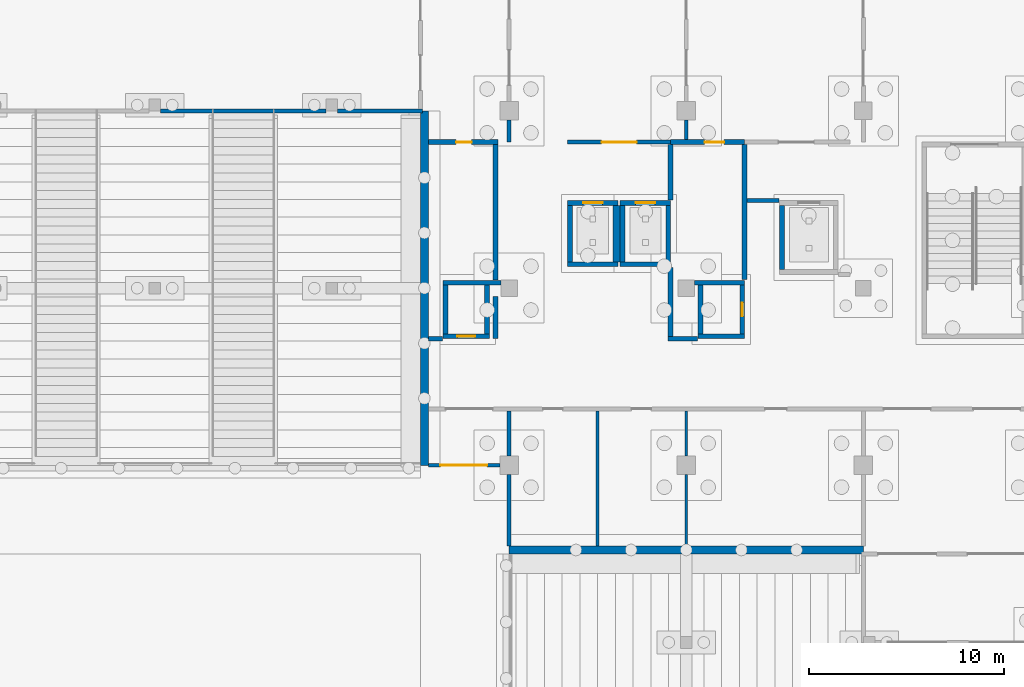
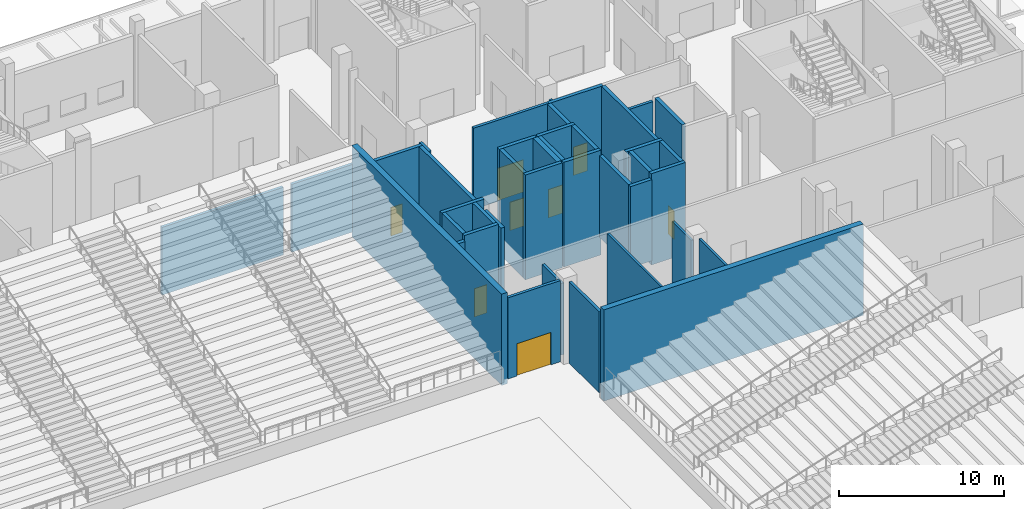
# One storey, part 80 of 129: 40 walls, 8 doors, 8 openings.
"""IFC4 building model written with IfcOpenShell, lengths in metres."""

from ifc_helpers import new_model, si_unit, direction, frame, frame_2d, origin, place, context, subcontext, project, spatial, rectangle, extrude, material, layer, layer_set, type_object, element, fill, save


model = new_model("IFC4")

# Units and contexts
model_context = context("Model", 3, precision=1e-05, world=origin(), true_north=direction((0.0, 1.0)))
body_context = subcontext(model_context, "Body", "Model", "MODEL_VIEW")
ifc_project = project(units=[si_unit("LENGTHUNIT", "METRE"), si_unit("AREAUNIT", "SQUARE_METRE"), si_unit("VOLUMEUNIT", "CUBIC_METRE"), si_unit("PLANEANGLEUNIT", "RADIAN"), si_unit("MASSUNIT", "GRAM", prefix="KILO")], contexts=[model_context])

# Site, building, storey
site_placement = place(None, origin())
site = spatial("IfcSite", under=ifc_project, at=site_placement, CompositionType="ELEMENT")
building_placement = place(site_placement, origin())
building = spatial("IfcBuilding", under=site, at=building_placement, Name="Shirokan Park Arena", CompositionType="ELEMENT")
storey_placement = place(building_placement, origin())
storey = spatial("IfcBuildingStorey", under=building, at=storey_placement, Name="L00", CompositionType="ELEMENT", Elevation=0.0)

# Walls
ifc_material_1 = material(Name="Plaster")
ifc_layer_1 = layer(ifc_material_1, 0.014892578125, Name="Plaster")
ifc_material_2 = material(Name="Concrete blockwork", Category="masonry")
ifc_layer_2 = layer(ifc_material_2, 0.219970703125, Name="Concrete blockwork 220")
ifc_layer_3 = layer(ifc_material_1, 0.014892578125, Name="Plaster")
ifc_layer_set_1 = layer_set([ifc_layer_1, ifc_layer_2, ifc_layer_3], Name="Plaster + Concrete blockwork 220")
wall_type_1 = type_object("IfcWallType", Name="Compartment wall 250", PredefinedType="SOLIDWALL", material=ifc_layer_set_1)
wall_1_placement = place(storey_placement, frame((105.77001953125, 79.300048828125, 0.0), z_axis=(0.0, 0.0, 1.0), x_axis=(-1.0, 0.0, 0.0)))
element("IfcWall", 1, at=wall_1_placement, inside=storey, type_object=wall_type_1, Name="Compartment wall 250 L00", PredefinedType="SOLIDWALL", context=body_context, shape_type="SweptSolid", body=[
    extrude(rectangle(XDim=0.719970703125, YDim=0.25, at=frame_2d((0.35986328125, 0.0))), origin(), (0.0, 0.0, 1.0), 6.02001953125),
])
wall_2_placement = place(storey_placement, frame((108.5, 79.300048828125, 0.0), z_axis=(0.0, 0.0, 1.0), x_axis=(0.0, 1.0, 0.0)))
element("IfcWall", 2, at=wall_2_placement, inside=storey, type_object=wall_type_1, Name="Compartment wall 250 L00", PredefinedType="SOLIDWALL", context=body_context, shape_type="SweptSolid", body=[
    extrude(rectangle(XDim=2.175048828125, YDim=0.25, at=frame_2d((1.08740234375, 0.0))), origin(), (0.0, 0.0, 1.0), 6.02001953125),
])
wall_3_placement = place(storey_placement, frame((108.5, 82.324951171875, 0.0), z_axis=(0.0, 0.0, 1.0), x_axis=(0.0, 1.0, 0.0)))
element("IfcWall", 3, at=wall_3_placement, inside=storey, type_object=wall_type_1, Name="Compartment wall 250 L00", PredefinedType="SOLIDWALL", context=body_context, shape_type="SweptSolid", body=[
    extrude(rectangle(XDim=6.949951171875, YDim=0.25, at=frame_2d((3.47509765625, 0.0))), origin(), (0.0, 0.0, 1.0), 6.02001953125),
])

# Wall, opening, door
wall_4_placement = place(storey_placement, frame((108.625, 89.39990234375, 0.0), z_axis=(0.0, 0.0, 1.0), x_axis=(-1.0, 0.0, 0.0)))
wall_4 = element("IfcWall", 4, at=wall_4_placement, inside=storey, type_object=wall_type_1, Name="Compartment wall 250 L00", PredefinedType="SOLIDWALL", context=body_context, shape_type="SweptSolid", body=[
    extrude(rectangle(XDim=3.574951171875, YDim=0.25, at=frame_2d((1.78759765625, 0.0))), origin(), (0.0, 0.0, 1.0), 6.02001953125),
])
opening_1_placement = place(wall_4_placement, frame((1.35009765625, 0.0, 0.0)))
opening_1 = element("IfcOpeningElement", 5, at=opening_1_placement, cuts=wall_4, Name="Opening D-0015", PredefinedType="OPENING", context=body_context, shape_type="SweptSolid", body=[
    extrude(rectangle(XDim=0.800048828125, YDim=2.10009765625, at=frame_2d((0.39990234375, 1.050048828125))), frame((0.0, 0.135009765625, 0.0), z_axis=(0.0, -1.0, 0.0), x_axis=(1.0, 0.0, 0.0)), (0.0, 0.0, 1.0), 0.27001953125),
])
ifc_material_3 = material(Name="Timber door set, fire resisting", Category="wood")
door_type_1 = type_object("IfcDoorType", Name="Cleaner store door 800 x 2100", OperationType="SINGLE_SWING_LEFT", PredefinedType="DOOR", material=ifc_material_3)
door_1_placement = place(opening_1_placement, origin())
door_1 = element("IfcDoor", 6, at=door_1_placement, inside=storey, type_object=door_type_1, Name="Door to Cleaner's Store 0.39 D-0015", OperationType="SINGLE_SWING_RIGHT", OverallHeight=2.10009765625, OverallWidth=0.800048828125, PredefinedType="DOOR", context=body_context, shape_type="SweptSolid", body=[
    extrude(rectangle(XDim=0.800048828125, YDim=2.10009765625, at=frame_2d((0.39990234375, 1.050048828125))), frame((0.0, 0.02490234375, 0.0), z_axis=(0.0, -1.0, 0.0), x_axis=(1.0, 0.0, 0.0)), (0.0, 0.0, 1.0), 0.050048828125),
])
fill(opening_1, door_1)

# Walls
wall_5_placement = place(storey_placement, frame((117.5, 79.425048828125, 0.0), z_axis=(0.0, 0.0, 1.0), x_axis=(0.0, 1.0, 0.0)))
element("IfcWall", 7, at=wall_5_placement, inside=storey, type_object=wall_type_1, Name="Compartment wall 250 L00", PredefinedType="SOLIDWALL", context=body_context, shape_type="SweptSolid", body=[
    extrude(rectangle(XDim=3.544921875, YDim=0.25, at=frame_2d((1.7724609375, 0.0))), origin(), (0.0, 0.0, 1.0), 6.02001953125),
])
wall_6_placement = place(storey_placement, frame((117.5, 86.429931640625, 0.0), z_axis=(0.0, 0.0, 1.0), x_axis=(0.0, 1.0, 0.0)))
element("IfcWall", 8, at=wall_6_placement, inside=storey, type_object=wall_type_1, Name="Compartment wall 250 L00", PredefinedType="SOLIDWALL", context=body_context, shape_type="SweptSolid", body=[
    extrude(rectangle(XDim=2.844970703125, YDim=0.25, at=frame_2d((1.42236328125, 0.0))), origin(), (0.0, 0.0, 1.0), 6.02001953125),
])

# Wall, opening, door
wall_7_placement = place(storey_placement, frame((117.5, 89.39990234375, 0.0), z_axis=(0.0, 0.0, 1.0), x_axis=(1.0, 0.0, 0.0)))
wall_7 = element("IfcWall", 9, at=wall_7_placement, inside=storey, type_object=wall_type_1, Name="Compartment wall 250 L00", PredefinedType="SOLIDWALL", context=body_context, shape_type="SweptSolid", body=[
    extrude(rectangle(XDim=3.800048828125, YDim=0.25, at=frame_2d((1.89990234375, 0.0))), origin(), (0.0, 0.0, 1.0), 6.02001953125),
])
opening_2_placement = place(wall_7_placement, frame((1.75, 0.0, 0.0)))
opening_2 = element("IfcOpeningElement", 10, at=opening_2_placement, cuts=wall_7, Name="Opening D-0014", PredefinedType="OPENING", context=body_context, shape_type="SweptSolid", body=[
    extrude(rectangle(XDim=1.0, YDim=2.10009765625, at=frame_2d((0.5, 1.050048828125))), frame((0.0, 0.135009765625, 0.0), z_axis=(0.0, -1.0, 0.0), x_axis=(1.0, 0.0, 0.0)), (0.0, 0.0, 1.0), 0.27001953125),
])
door_type_2 = type_object("IfcDoorType", Name="Door 1000 x 2100", OperationType="SINGLE_SWING_LEFT", PredefinedType="DOOR", material=ifc_material_3)
door_2_placement = place(opening_2_placement, origin())
door_2 = element("IfcDoor", 11, at=door_2_placement, inside=storey, type_object=door_type_2, Name="Door to Laundry Room 0.38 D-0014", OperationType="SINGLE_SWING_LEFT", OverallHeight=2.10009765625, OverallWidth=1.0, PredefinedType="DOOR", context=body_context, shape_type="SweptSolid", body=[
    extrude(rectangle(XDim=1.0, YDim=2.10009765625, at=frame_2d((0.5, 1.050048828125))), frame((0.0, 0.02490234375, 0.0), z_axis=(0.0, -1.0, 0.0), x_axis=(1.0, 0.0, 0.0)), (0.0, 0.0, 1.0), 0.050048828125),
])
fill(opening_2, door_2)

# Walls
wall_8_placement = place(storey_placement, frame((118.8701171875, 79.300048828125, 0.0), z_axis=(0.0, 0.0, 1.0), x_axis=(-1.0, 0.0, 0.0)))
element("IfcWall", 12, at=wall_8_placement, inside=storey, type_object=wall_type_1, Name="Compartment wall 250 L00", PredefinedType="SOLIDWALL", context=body_context, shape_type="SweptSolid", body=[
    extrude(rectangle(XDim=1.4951171875, YDim=0.25, at=frame_2d((0.74755859375, 0.0))), origin(), (0.0, 0.0, 1.0), 6.02001953125),
])
wall_9_placement = place(storey_placement, frame((121.300048828125, 82.330078125, 0.0), z_axis=(0.0, 0.0, 1.0), x_axis=(0.0, 1.0, 0.0)))
element("IfcWall", 13, at=wall_9_placement, inside=storey, type_object=wall_type_1, Name="Compartment wall 250 L00", PredefinedType="SOLIDWALL", context=body_context, shape_type="SweptSolid", body=[
    extrude(rectangle(XDim=6.94482421875, YDim=0.25, at=frame_2d((3.472412109375, 0.0))), origin(), (0.0, 0.0, 1.0), 6.02001953125),
])
ifc_material_4 = material(Name="Gypsum board")
ifc_layer_4 = layer(ifc_material_4, 0.02490234375, Name="Gypsum board, two layers")
ifc_material_5 = material(Name="Mineral wool insulation")
ifc_layer_5 = layer(ifc_material_5, 0.14990234375, Name="Mineral wool insulation")
ifc_layer_6 = layer(ifc_material_4, 0.02490234375, Name="Gypsum board, two layers")
ifc_layer_set_2 = layer_set([ifc_layer_4, ifc_layer_5, ifc_layer_6], Name="Gypsum board, two layers + Mineral wool insulation")
wall_type_2 = type_object("IfcWallType", Name="Corridor wall 200", PredefinedType="PARTITIONING", material=ifc_layer_set_2)
wall_10_placement = place(storey_placement, frame((99.800048828125, 91.0, 0.0), z_axis=(0.0, 0.0, 1.0), x_axis=(-1.0, 0.0, 0.0)))
element("IfcWall", 14, at=wall_10_placement, inside=storey, type_object=wall_type_2, Name="Corridor wall 200 L00", PredefinedType="PARTITIONING", context=body_context, shape_type="SweptSolid", body=[
    extrude(rectangle(XDim=8.5, YDim=0.199951171875, at=frame_2d((4.25, 0.0))), origin(), (0.0, 0.0, 1.0), 5.02001953125),
])
wall_11_placement = place(storey_placement, frame((104.75, 91.0, 0.0), z_axis=(0.0, 0.0, 1.0), x_axis=(-1.0, 0.0, 0.0)))
element("IfcWall", 15, at=wall_11_placement, inside=storey, type_object=wall_type_2, Name="Corridor wall 200 L00", PredefinedType="PARTITIONING", context=body_context, shape_type="SweptSolid", body=[
    extrude(rectangle(XDim=4.35009765625, YDim=0.199951171875, at=frame_2d((2.175048828125, 0.0))), origin(), (0.0, 0.0, 1.0), 5.02001953125),
])

# Wall, opening, door
wall_12_placement = place(storey_placement, frame((108.72509765625, 72.800048828125, 0.0), z_axis=(0.0, 0.0, 1.0), x_axis=(-1.0, 0.0, 0.0)))
wall_12 = element("IfcWall", 16, at=wall_12_placement, inside=storey, type_object=wall_type_2, Name="Corridor wall 200 L00", PredefinedType="PARTITIONING", context=body_context, shape_type="SweptSolid", body=[
    extrude(rectangle(XDim=3.675048828125, YDim=0.199951171875, at=frame_2d((1.83740234375, 0.0))), origin(), (0.0, 0.0, 1.0), 6.02001953125),
])
opening_3_placement = place(wall_12_placement, frame((0.64990234375, 0.0, 0.0)))
opening_3 = element("IfcOpeningElement", 17, at=opening_3_placement, cuts=wall_12, Name="Opening D-0072", PredefinedType="OPENING", context=body_context, shape_type="SweptSolid", body=[
    extrude(rectangle(XDim=2.39990234375, YDim=2.39990234375, at=frame_2d((1.199951171875, 1.199951171875))), frame((0.0, 0.10986328125, 0.0), z_axis=(0.0, -1.0, 0.0), x_axis=(1.0, 0.0, 0.0)), (0.0, 0.0, 1.0), 0.219970703125),
])
ifc_material_6 = material(Name="Steel door set, fire resisting", Category="steel")
door_type_3 = type_object("IfcDoorType", Name="Double door 2400 x 2400", OperationType="DOUBLE_DOOR_SINGLE_SWING", PredefinedType="DOOR", material=ifc_material_6)
door_3_placement = place(opening_3_placement, origin())
door_3 = element("IfcDoor", 18, at=door_3_placement, inside=storey, type_object=door_type_3, Name="Door between Floor Access Passage 3 and Team Corridor 3.0 D-0072", OperationType="DOUBLE_DOOR_SINGLE_SWING", OverallHeight=2.39990234375, OverallWidth=2.39990234375, PredefinedType="DOOR", context=body_context, shape_type="SweptSolid", body=[
    extrude(rectangle(XDim=2.39990234375, YDim=2.39990234375, at=frame_2d((1.199951171875, 1.199951171875))), frame((0.0, 0.02490234375, 0.0), z_axis=(0.0, -1.0, 0.0), x_axis=(1.0, 0.0, 0.0)), (0.0, 0.0, 1.0), 0.050048828125),
])
fill(opening_3, door_3)

# Walls
wall_13_placement = place(storey_placement, frame((109.199951171875, 68.64990234375, 0.0), z_axis=(0.0, 0.0, 1.0), x_axis=(0.0, 1.0, 0.0)))
element("IfcWall", 19, at=wall_13_placement, inside=storey, type_object=wall_type_2, Name="Corridor wall 200 L00", PredefinedType="PARTITIONING", context=body_context, shape_type="SweptSolid", body=[
    extrude(rectangle(XDim=3.675048828125, YDim=0.199951171875, at=frame_2d((1.83740234375, 0.0))), origin(), (0.0, 0.0, 1.0), 6.02001953125),
])
wall_14_placement = place(storey_placement, frame((109.199951171875, 73.27490234375, 0.0), z_axis=(0.0, 0.0, 1.0), x_axis=(0.0, 1.0, 0.0)))
element("IfcWall", 20, at=wall_14_placement, inside=storey, type_object=wall_type_2, Name="Corridor wall 200 L00", PredefinedType="PARTITIONING", context=body_context, shape_type="SweptSolid", body=[
    extrude(rectangle(XDim=2.3251953125, YDim=0.199951171875, at=frame_2d((1.16259765625, 0.0))), origin(), (0.0, 0.0, 1.0), 5.320068359375),
])
wall_15_placement = place(storey_placement, frame((109.199951171875, 89.39990234375, 0.0), z_axis=(0.0, 0.0, 1.0), x_axis=(0.0, 1.0, 0.0)))
element("IfcWall", 21, at=wall_15_placement, inside=storey, type_object=wall_type_2, Name="Corridor wall 200 L00", PredefinedType="PARTITIONING", context=body_context, shape_type="SweptSolid", body=[
    extrude(rectangle(XDim=1.125, YDim=0.199951171875, at=frame_2d((0.5625, 0.0))), origin(), (0.0, 0.0, 1.0), 5.320068359375),
])

# Wall, opening, door
wall_16_placement = place(storey_placement, frame((117.5, 89.39990234375, 0.0), z_axis=(0.0, 0.0, 1.0), x_axis=(-1.0, 0.0, 0.0)))
wall_16 = element("IfcWall", 22, at=wall_16_placement, inside=storey, type_object=wall_type_2, Name="Corridor wall 200 L00", PredefinedType="PARTITIONING", context=body_context, shape_type="SweptSolid", body=[
    extrude(rectangle(XDim=5.300048828125, YDim=0.199951171875, at=frame_2d((2.64990234375, 0.0))), origin(), (0.0, 0.0, 1.0), 6.02001953125),
])
opening_4_placement = place(wall_16_placement, frame((1.75, 0.0, 0.0)))
opening_4 = element("IfcOpeningElement", 23, at=opening_4_placement, cuts=wall_16, Name="Opening D-0082", PredefinedType="OPENING", context=body_context, shape_type="SweptSolid", body=[
    extrude(rectangle(XDim=1.800048828125, YDim=2.39990234375, at=frame_2d((0.89990234375, 1.199951171875))), frame((0.0, 0.10986328125, 0.0), z_axis=(0.0, -1.0, 0.0), x_axis=(1.0, 0.0, 0.0)), (0.0, 0.0, 1.0), 0.219970703125),
])
ifc_material_7 = material(Name="Glazed steel door set, fire resisting", Category="steel")
door_type_4 = type_object("IfcDoorType", Name="Lift lobby door 1800 x 2400", OperationType="DOUBLE_DOOR_SINGLE_SWING", PredefinedType="DOOR", material=ifc_material_7)
door_4_placement = place(opening_4_placement, origin())
door_4 = element("IfcDoor", 24, at=door_4_placement, inside=storey, type_object=door_type_4, Name="Door between Team Foyer 3.0.4 and Lift Lobby 3.0 D-0082", OperationType="DOUBLE_DOOR_SINGLE_SWING", OverallHeight=2.39990234375, OverallWidth=1.800048828125, PredefinedType="DOOR", context=body_context, shape_type="SweptSolid", body=[
    extrude(rectangle(XDim=1.800048828125, YDim=2.39990234375, at=frame_2d((0.89990234375, 1.199951171875))), frame((0.0, 0.02490234375, 0.0), z_axis=(0.0, -1.0, 0.0), x_axis=(1.0, 0.0, 0.0)), (0.0, 0.0, 1.0), 0.050048828125),
])
fill(opening_4, door_4)

# Walls
wall_17_placement = place(storey_placement, frame((118.300048828125, 89.52490234375, 0.0), z_axis=(0.0, 0.0, 1.0), x_axis=(0.0, 1.0, 0.0)))
element("IfcWall", 25, at=wall_17_placement, inside=storey, type_object=wall_type_2, Name="Corridor wall 200 L00", PredefinedType="PARTITIONING", context=body_context, shape_type="SweptSolid", body=[
    extrude(rectangle(XDim=1.0, YDim=0.199951171875, at=frame_2d((0.5, 0.0))), origin(), (0.0, 0.0, 1.0), 5.320068359375),
])
wall_18_placement = place(storey_placement, frame((123.070068359375, 86.39990234375, 0.0), z_axis=(0.0, 0.0, 1.0), x_axis=(-1.0, 0.0, 0.0)))
element("IfcWall", 26, at=wall_18_placement, inside=storey, type_object=wall_type_2, Name="Corridor wall 200 L00", PredefinedType="PARTITIONING", context=body_context, shape_type="SweptSolid", body=[
    extrude(rectangle(XDim=1.64501953125, YDim=0.199951171875, at=frame_2d((0.822509765625, 0.0))), origin(), (0.0, 0.0, 1.0), 6.02001953125),
])
ifc_material_8 = material(Name="Concrete C35", Category="concrete")
ifc_layer_7 = layer(ifc_material_8, 0.39990234375)
ifc_layer_set_3 = layer_set([ifc_layer_7], Name="Concrete C35 400 mm")
wall_type_3 = type_object("IfcWallType", Name="RC flank wall 400", PredefinedType="SHEAR", material=ifc_layer_set_3)
for number, where, z_axis, x_axis, name in (
    (27, (104.85009765625, 72.800048828125, -0.39990234375), (0.0, 0.0, 1.0), (0.0, 1.0, 0.0), "Flank wall N2 L00"),
    (28, (109.199951171875, 68.449951171875, -0.39990234375), (0.0, 0.0, 1.0), (1.0, 0.0, 0.0), "Flank wall E2 L00"),
):
    element("IfcWall", number, at=place(storey_placement, frame(where, z_axis=z_axis, x_axis=x_axis)), inside=storey, type_object=wall_type_3, Name=name, PredefinedType="SHEAR", context=body_context, shape_type="SweptSolid", body=[
        extrude(rectangle(XDim=18.199951171875, YDim=0.39990234375, at=frame_2d((9.10009765625, 0.0))), origin(), (0.0, 0.0, 1.0), 6.77001953125),
    ])
ifc_material_9 = material(Name="Concrete C40/50", Category="concrete")
ifc_layer_8 = layer(ifc_material_9, 0.25)
ifc_layer_set_4 = layer_set([ifc_layer_8], Name="Concrete C40/50 250 mm")
wall_type_4 = type_object("IfcWallType", Name="RC shear wall 250", PredefinedType="SHEAR", material=ifc_layer_set_4)
wall_19_placement = place(storey_placement, frame((117.5, 83.125, -1.39990234375), z_axis=(0.0, 0.0, 1.0), x_axis=(-1.0, 0.0, 0.0)))
element("IfcWall", 29, at=wall_19_placement, inside=storey, type_object=wall_type_4, Name="Shaft wall Passenger Lift 3.1 S L00", PredefinedType="SHEAR", context=body_context, shape_type="SweptSolid", body=[
    extrude(rectangle(XDim=2.60009765625, YDim=0.25, at=frame_2d((1.300048828125, 0.0))), origin(), (0.0, 0.0, 1.0), 7.77001953125),
])

# Wall, opening, door
wall_20_placement = place(storey_placement, frame((117.5, 86.27490234375, -1.39990234375), z_axis=(0.0, 0.0, 1.0), x_axis=(-1.0, 0.0, 0.0)))
wall_20 = element("IfcWall", 30, at=wall_20_placement, inside=storey, type_object=wall_type_4, Name="Shaft wall Passenger Lift 3.1 N L00", PredefinedType="SHEAR", context=body_context, shape_type="SweptSolid", body=[
    extrude(rectangle(XDim=2.60009765625, YDim=0.25, at=frame_2d((1.300048828125, 0.0))), origin(), (0.0, 0.0, 1.0), 7.77001953125),
])
opening_5_placement = place(wall_20_placement, frame((0.800048828125, 0.0, 1.39990234375)))
opening_5 = element("IfcOpeningElement", 31, at=opening_5_placement, cuts=wall_20, Name="Opening LD25", PredefinedType="OPENING", context=body_context, shape_type="SweptSolid", body=[
    extrude(rectangle(XDim=1.0, YDim=2.10009765625, at=frame_2d((0.5, 1.050048828125))), frame((0.0, 0.135009765625, 0.0), z_axis=(0.0, -1.0, 0.0), x_axis=(1.0, 0.0, 0.0)), (0.0, 0.0, 1.0), 0.27001953125),
])
ifc_material_10 = material(Name="Stainless steel", Category="steel")
door_type_5 = type_object("IfcDoorType", Name="Lift landing door 1000x2100", OperationType="DOUBLE_DOOR_SLIDING", PredefinedType="DOOR", material=ifc_material_10)
door_5_placement = place(opening_5_placement, origin())
door_5 = element("IfcDoor", 32, at=door_5_placement, inside=storey, type_object=door_type_5, Name="Lift landing door Passenger Lift 3.1 L00", OperationType="DOUBLE_DOOR_SLIDING", OverallHeight=2.10009765625, OverallWidth=1.0, PredefinedType="DOOR", context=body_context, shape_type="SweptSolid", body=[
    extrude(rectangle(XDim=1.0, YDim=2.10009765625, at=frame_2d((0.5, 1.050048828125))), frame((0.0, 0.02490234375, 0.0), z_axis=(0.0, -1.0, 0.0), x_axis=(1.0, 0.0, 0.0)), (0.0, 0.0, 1.0), 0.050048828125),
])
fill(opening_5, door_5)

# Walls
for number, where, z_axis, x_axis, name in (
    (33, (115.02490234375, 86.14990234375, -1.39990234375), (0.0, 0.0, 1.0), (0.0, -1.0, 0.0), "Shaft wall Passenger Lift 3.1 W L00"),
    (34, (117.375, 86.14990234375, -1.39990234375), (0.0, 0.0, 1.0), (0.0, -1.0, 0.0), "Shaft wall Passenger Lift 3.1 E L00"),
):
    element("IfcWall", number, at=place(storey_placement, frame(where, z_axis=z_axis, x_axis=x_axis)), inside=storey, type_object=wall_type_4, Name=name, PredefinedType="SHEAR", context=body_context, shape_type="SweptSolid", body=[
        extrude(rectangle(XDim=2.89990234375, YDim=0.25, at=frame_2d((1.449951171875, 0.0))), origin(), (0.0, 0.0, 1.0), 7.77001953125),
    ])
wall_21_placement = place(storey_placement, frame((114.800048828125, 83.125, -1.39990234375), z_axis=(0.0, 0.0, 1.0), x_axis=(-1.0, 0.0, 0.0)))
element("IfcWall", 35, at=wall_21_placement, inside=storey, type_object=wall_type_4, Name="Shaft wall Passenger Lift 3.2 S L00", PredefinedType="SHEAR", context=body_context, shape_type="SweptSolid", body=[
    extrude(rectangle(XDim=2.60009765625, YDim=0.25, at=frame_2d((1.300048828125, 0.0))), origin(), (0.0, 0.0, 1.0), 7.77001953125),
])

# Wall, opening, door
wall_22_placement = place(storey_placement, frame((114.800048828125, 86.27490234375, -1.39990234375), z_axis=(0.0, 0.0, 1.0), x_axis=(-1.0, 0.0, 0.0)))
wall_22 = element("IfcWall", 36, at=wall_22_placement, inside=storey, type_object=wall_type_4, Name="Shaft wall Passenger Lift 3.2 N L00", PredefinedType="SHEAR", context=body_context, shape_type="SweptSolid", body=[
    extrude(rectangle(XDim=2.60009765625, YDim=0.25, at=frame_2d((1.300048828125, 0.0))), origin(), (0.0, 0.0, 1.0), 7.77001953125),
])
opening_6_placement = place(wall_22_placement, frame((0.800048828125, 0.0, 1.39990234375)))
opening_6 = element("IfcOpeningElement", 37, at=opening_6_placement, cuts=wall_22, Name="Opening LD31", PredefinedType="OPENING", context=body_context, shape_type="SweptSolid", body=[
    extrude(rectangle(XDim=1.0, YDim=2.10009765625, at=frame_2d((0.5, 1.050048828125))), frame((0.0, 0.135009765625, 0.0), z_axis=(0.0, -1.0, 0.0), x_axis=(1.0, 0.0, 0.0)), (0.0, 0.0, 1.0), 0.27001953125),
])
door_6_placement = place(opening_6_placement, origin())
door_6 = element("IfcDoor", 38, at=door_6_placement, inside=storey, type_object=door_type_5, Name="Lift landing door Passenger Lift 3.2 L00", OperationType="DOUBLE_DOOR_SLIDING", OverallHeight=2.10009765625, OverallWidth=1.0, PredefinedType="DOOR", context=body_context, shape_type="SweptSolid", body=[
    extrude(rectangle(XDim=1.0, YDim=2.10009765625, at=frame_2d((0.5, 1.050048828125))), frame((0.0, 0.02490234375, 0.0), z_axis=(0.0, -1.0, 0.0), x_axis=(1.0, 0.0, 0.0)), (0.0, 0.0, 1.0), 0.050048828125),
])
fill(opening_6, door_6)

# Wall
wall_23_placement = place(storey_placement, frame((112.324951171875, 86.14990234375, -1.39990234375), z_axis=(0.0, 0.0, 1.0), x_axis=(0.0, -1.0, 0.0)))
element("IfcWall", 39, at=wall_23_placement, inside=storey, type_object=wall_type_4, Name="Shaft wall Passenger Lift 3.2 W L00", PredefinedType="SHEAR", context=body_context, shape_type="SweptSolid", body=[
    extrude(rectangle(XDim=2.89990234375, YDim=0.25, at=frame_2d((1.449951171875, 0.0))), origin(), (0.0, 0.0, 1.0), 7.77001953125),
])

# Wall, opening, door
wall_24_placement = place(storey_placement, frame((108.199951171875, 79.425048828125, -0.39990234375), z_axis=(0.0, 0.0, 1.0), x_axis=(-1.0, 0.0, 0.0)))
wall_24 = element("IfcWall", 40, at=wall_24_placement, inside=storey, type_object=wall_type_4, Name="Shaft wall Services Riser 3.1 S L00", PredefinedType="SHEAR", context=body_context, shape_type="SweptSolid", body=[
    extrude(rectangle(XDim=2.39990234375, YDim=0.25, at=frame_2d((1.199951171875, 0.0))), origin(), (0.0, 0.0, 1.0), 6.77001953125),
])
opening_7_placement = place(wall_24_placement, frame((0.75, 0.0, 0.39990234375)))
opening_7 = element("IfcOpeningElement", 41, at=opening_7_placement, cuts=wall_24, Name="Opening D-0169", PredefinedType="OPENING", context=body_context, shape_type="SweptSolid", body=[
    extrude(rectangle(XDim=0.89990234375, YDim=2.10009765625, at=frame_2d((0.449951171875, 1.050048828125))), frame((0.0, 0.135009765625, 0.0), z_axis=(0.0, -1.0, 0.0), x_axis=(1.0, 0.0, 0.0)), (0.0, 0.0, 1.0), 0.27001953125),
])
door_type_6 = type_object("IfcDoorType", Name="Electrical riser door 900 x 2100", OperationType="SINGLE_SWING_LEFT", PredefinedType="DOOR", material=ifc_material_6)
door_7_placement = place(opening_7_placement, origin())
door_7 = element("IfcDoor", 42, at=door_7_placement, inside=storey, type_object=door_type_6, Name="Riser access door Services Riser 3.1 D-0169", OperationType="SINGLE_SWING_LEFT", OverallHeight=2.10009765625, OverallWidth=0.89990234375, PredefinedType="DOOR", context=body_context, shape_type="SweptSolid", body=[
    extrude(rectangle(XDim=0.89990234375, YDim=2.10009765625, at=frame_2d((0.449951171875, 1.050048828125))), frame((0.0, 0.02490234375, 0.0), z_axis=(0.0, -1.0, 0.0), x_axis=(1.0, 0.0, 0.0)), (0.0, 0.0, 1.0), 0.050048828125),
])
fill(opening_7, door_7)

# Walls
wall_25_placement = place(storey_placement, frame((108.77490234375, 82.175048828125, -0.39990234375), z_axis=(0.0, 0.0, 1.0), x_axis=(-1.0, 0.0, 0.0)))
element("IfcWall", 43, at=wall_25_placement, inside=storey, type_object=wall_type_4, Name="Shaft wall Services Riser 3.1 N L00", PredefinedType="SHEAR", context=body_context, shape_type="SweptSolid", body=[
    extrude(rectangle(XDim=2.974853515625, YDim=0.25, at=frame_2d((1.4873046875, 0.0))), origin(), (0.0, 0.0, 1.0), 6.77001953125),
])
for number, where, z_axis, x_axis, name in (
    (44, (105.925048828125, 82.050048828125, -0.39990234375), (0.0, 0.0, 1.0), (0.0, -1.0, 0.0), "Shaft wall Services Riser 3.1 W L00"),
    (45, (108.074951171875, 82.050048828125, -0.39990234375), (0.0, 0.0, 1.0), (0.0, -1.0, 0.0), "Shaft wall Services Riser 3.1 E L00"),
):
    element("IfcWall", number, at=place(storey_placement, frame(where, z_axis=z_axis, x_axis=x_axis)), inside=storey, type_object=wall_type_4, Name=name, PredefinedType="SHEAR", context=body_context, shape_type="SweptSolid", body=[
        extrude(rectangle(XDim=2.5, YDim=0.25, at=frame_2d((1.25, 0.0))), origin(), (0.0, 0.0, 1.0), 6.77001953125),
    ])
wall_26_placement = place(storey_placement, frame((121.300048828125, 79.425048828125, -0.39990234375), z_axis=(0.0, 0.0, 1.0), x_axis=(-1.0, 0.0, 0.0)))
element("IfcWall", 46, at=wall_26_placement, inside=storey, type_object=wall_type_4, Name="Shaft wall Services Riser 3.2 S L00", PredefinedType="SHEAR", context=body_context, shape_type="SweptSolid", body=[
    extrude(rectangle(XDim=2.400146484375, YDim=0.25, at=frame_2d((1.2001953125, 0.0))), origin(), (0.0, 0.0, 1.0), 6.77001953125),
])
wall_27_placement = place(storey_placement, frame((121.300048828125, 82.175048828125, -0.39990234375), z_axis=(0.0, 0.0, 1.0), x_axis=(-1.0, 0.0, 0.0)))
element("IfcWall", 47, at=wall_27_placement, inside=storey, type_object=wall_type_4, Name="Shaft wall Services Riser 3.2 N L00", PredefinedType="SHEAR", context=body_context, shape_type="SweptSolid", body=[
    extrude(rectangle(XDim=2.574951171875, YDim=0.25, at=frame_2d((1.28759765625, 0.0))), origin(), (0.0, 0.0, 1.0), 6.77001953125),
])
wall_28_placement = place(storey_placement, frame((119.02490234375, 82.050048828125, -0.39990234375), z_axis=(0.0, 0.0, 1.0), x_axis=(0.0, -1.0, 0.0)))
element("IfcWall", 48, at=wall_28_placement, inside=storey, type_object=wall_type_4, Name="Shaft wall Services Riser 3.2 W L00", PredefinedType="SHEAR", context=body_context, shape_type="SweptSolid", body=[
    extrude(rectangle(XDim=2.5, YDim=0.25, at=frame_2d((1.25, 0.0))), origin(), (0.0, 0.0, 1.0), 6.77001953125),
])

# Wall, opening, door
wall_29_placement = place(storey_placement, frame((121.175048828125, 82.050048828125, -0.39990234375), z_axis=(0.0, 0.0, 1.0), x_axis=(0.0, -1.0, 0.0)))
wall_29 = element("IfcWall", 49, at=wall_29_placement, inside=storey, type_object=wall_type_4, Name="Shaft wall Services Riser 3.2 E L00", PredefinedType="SHEAR", context=body_context, shape_type="SweptSolid", body=[
    extrude(rectangle(XDim=2.5, YDim=0.25, at=frame_2d((1.25, 0.0))), origin(), (0.0, 0.0, 1.0), 6.77001953125),
])
opening_8_placement = place(wall_29_placement, frame((0.89990234375, 0.0, 0.39990234375)))
opening_8 = element("IfcOpeningElement", 50, at=opening_8_placement, cuts=wall_29, Name="Opening D-0170", PredefinedType="OPENING", context=body_context, shape_type="SweptSolid", body=[
    extrude(rectangle(XDim=0.699951171875, YDim=2.10009765625, at=frame_2d((0.35009765625, 1.050048828125))), frame((0.0, 0.135009765625, 0.0), z_axis=(0.0, -1.0, 0.0), x_axis=(1.0, 0.0, 0.0)), (0.0, 0.0, 1.0), 0.27001953125),
])
door_type_7 = type_object("IfcDoorType", Name="Mechanical riser door 700 x 2100", OperationType="SINGLE_SWING_LEFT", PredefinedType="DOOR", material=ifc_material_6)
door_8_placement = place(opening_8_placement, origin())
door_8 = element("IfcDoor", 51, at=door_8_placement, inside=storey, type_object=door_type_7, Name="Riser access door Services Riser 3.2 D-0170", OperationType="SINGLE_SWING_RIGHT", OverallHeight=2.10009765625, OverallWidth=0.699951171875, PredefinedType="DOOR", context=body_context, shape_type="SweptSolid", body=[
    extrude(rectangle(XDim=0.699951171875, YDim=2.10009765625, at=frame_2d((0.35009765625, 1.050048828125))), frame((0.0, 0.02490234375, 0.0), z_axis=(0.0, -1.0, 0.0), x_axis=(1.0, 0.0, 0.0)), (0.0, 0.0, 1.0), 0.050048828125),
])
fill(opening_8, door_8)

# Walls
wall_30_placement = place(storey_placement, frame((123.22509765625, 86.14990234375, -1.39990234375), z_axis=(0.0, 0.0, 1.0), x_axis=(0.0, -1.0, 0.0)))
element("IfcWall", 52, at=wall_30_placement, inside=storey, type_object=wall_type_4, Name="Shaft wall Service Lift 3 W L00", PredefinedType="SHEAR", context=body_context, shape_type="SweptSolid", body=[
    extrude(rectangle(XDim=3.2998046875, YDim=0.25, at=frame_2d((1.64990234375, 0.0))), origin(), (0.0, 0.0, 1.0), 7.77001953125),
])
ifc_layer_9 = layer(ifc_material_9, 0.35009765625)
ifc_layer_set_5 = layer_set([ifc_layer_9], Name="Concrete C40/50 350 mm")
wall_type_5 = type_object("IfcWallType", Name="RC shear wall 350", PredefinedType="SHEAR", material=ifc_layer_set_5)
wall_31_placement = place(storey_placement, frame((114.72509765625, 86.14990234375, -1.39990234375), z_axis=(0.0, 0.0, 1.0), x_axis=(0.0, -1.0, 0.0)))
element("IfcWall", 53, at=wall_31_placement, inside=storey, type_object=wall_type_5, Name="Shaft wall Passenger Lift 3.2 E L00", PredefinedType="SHEAR", context=body_context, shape_type="SweptSolid", body=[
    extrude(rectangle(XDim=2.89990234375, YDim=0.35009765625, at=frame_2d((1.449951171875, 0.0))), origin(), (0.0, 0.0, 1.0), 7.77001953125),
])
ifc_layer_10 = layer(ifc_material_4, 0.012451171875, Name="Gypsum board")
ifc_layer_11 = layer(ifc_material_5, 0.125, Name="Mineral wool insulation")
ifc_layer_12 = layer(ifc_material_4, 0.012451171875, Name="Gypsum board")
ifc_layer_set_6 = layer_set([ifc_layer_10, ifc_layer_11, ifc_layer_12], Name="Gypsum board + Mineral wool insulation")
wall_type_6 = type_object("IfcWallType", Name="Room partition 150", PredefinedType="PARTITIONING", material=ifc_layer_set_6)
wall_32_placement = place(storey_placement, frame((113.75, 68.64990234375, 0.0), z_axis=(0.0, 0.0, 1.0), x_axis=(0.0, 1.0, 0.0)))
element("IfcWall", 54, at=wall_32_placement, inside=storey, type_object=wall_type_6, Name="Room partition 150 L00", PredefinedType="PARTITIONING", context=body_context, shape_type="SweptSolid", body=[
    extrude(rectangle(XDim=6.9501953125, YDim=0.14990234375, at=frame_2d((3.47509765625, 0.0))), origin(), (0.0, 0.0, 1.0), 6.02001953125),
])
wall_33_placement = place(storey_placement, frame((118.300048828125, 68.64990234375, 0.0), z_axis=(0.0, 0.0, 1.0), x_axis=(0.0, 1.0, 0.0)))
element("IfcWall", 55, at=wall_33_placement, inside=storey, type_object=wall_type_6, Name="Room partition 150 L00", PredefinedType="PARTITIONING", context=body_context, shape_type="SweptSolid", body=[
    extrude(rectangle(XDim=3.675048828125, YDim=0.14990234375, at=frame_2d((1.83740234375, 0.0))), origin(), (0.0, 0.0, 1.0), 6.02001953125),
])
wall_34_placement = place(storey_placement, frame((118.300048828125, 73.27490234375, 0.0), z_axis=(0.0, 0.0, 1.0), x_axis=(0.0, 1.0, 0.0)))
element("IfcWall", 56, at=wall_34_placement, inside=storey, type_object=wall_type_6, Name="Room partition 150 L00", PredefinedType="PARTITIONING", context=body_context, shape_type="SweptSolid", body=[
    extrude(rectangle(XDim=2.3251953125, YDim=0.14990234375, at=frame_2d((1.16259765625, 0.0))), origin(), (0.0, 0.0, 1.0), 5.320068359375),
])

save(model, "model.ifc")
